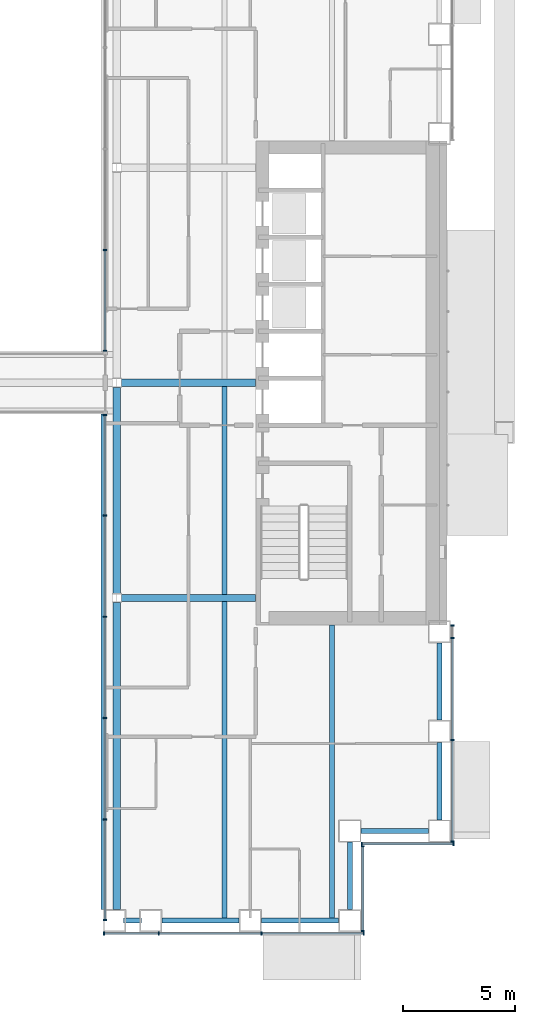
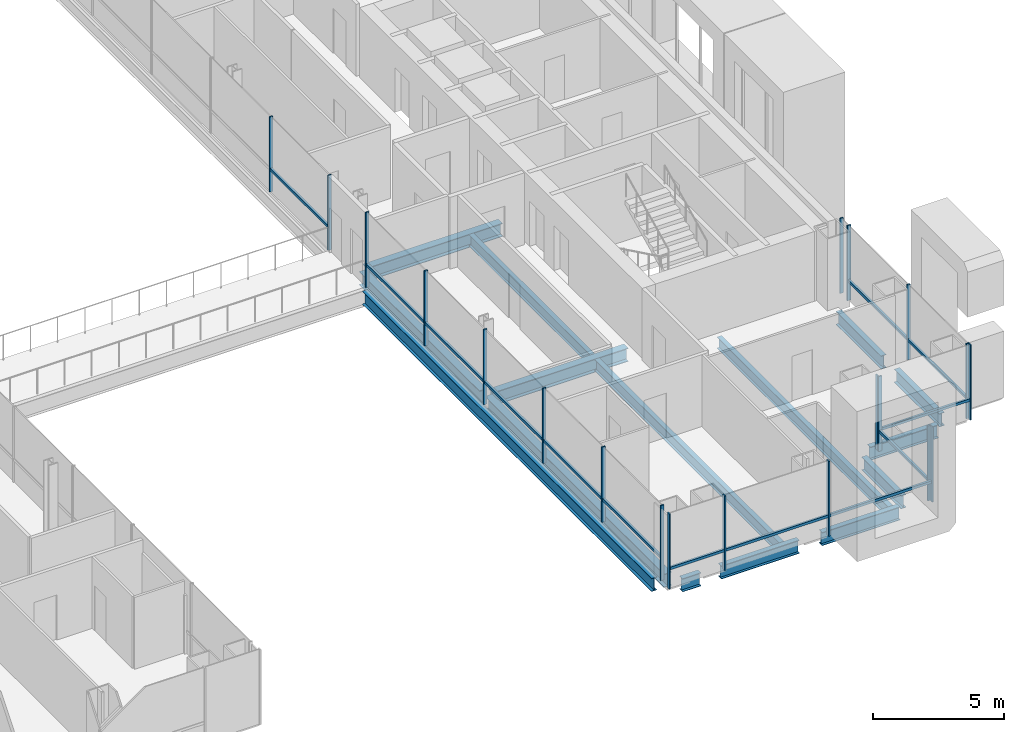
# One storey, part 5 of 26: 33 members, 15 beams, 6 elements without a shape of their own.
"""IFC4 building model written with IfcOpenShell, lengths in metres."""

from ifc_helpers import new_model, si_unit, direction, frame, origin, origin_2d, place, context, subcontext, project, spatial, rectangle, i_section, extrude, material, material_profile, profile_set, type_object, element, aggregate, save


model = new_model("IFC4")

# Units and contexts
model_context = context("Model", 3, precision=1e-05, world=origin(), true_north=direction((0.0, 1.0)))
body_context = subcontext(model_context, "Body", "Model", "MODEL_VIEW")
ifc_project = project(units=[si_unit("LENGTHUNIT", "METRE"), si_unit("AREAUNIT", "SQUARE_METRE"), si_unit("VOLUMEUNIT", "CUBIC_METRE"), si_unit("PLANEANGLEUNIT", "RADIAN"), si_unit("MASSUNIT", "GRAM", prefix="KILO")], contexts=[model_context])

# Site, building, storey
site_placement = place(None, origin())
site = spatial("IfcSite", under=ifc_project, at=site_placement, CompositionType="ELEMENT")
building_placement = place(site_placement, origin())
building = spatial("IfcBuilding", under=site, at=building_placement, Name="Cobrizo Arcos Hotel Tower", CompositionType="ELEMENT")
storey_placement = place(building_placement, frame((0.0, 0.0, 67.0)))
storey = spatial("IfcBuildingStorey", under=building, at=storey_placement, Name="L15", CompositionType="ELEMENT", Elevation=67.0)

# Curtain wall, members
ifc_material_1 = material(Name="Aluminium 6063-T6 anodised bronze", Category="aluminium")
curtain_wall_type_1 = type_object("IfcCurtainWallType", Name="CW-A guest facade", PredefinedType="NOTDEFINED", material=ifc_material_1)
curtain_wall_1_placement = place(storey_placement, origin())
curtain_wall_1 = element("IfcCurtainWall", 1, at=curtain_wall_1_placement, inside=storey, type_object=curtain_wall_type_1, Name="CW-A L15 S face", PredefinedType="NOTDEFINED")
ifc_material_profile_1 = material_profile(ifc_material_1, rectangle(XDim=0.14990234375, YDim=0.06005859375, at=origin_2d()), Name="CW-A mullion 150x60")
ifc_profile_set_1 = profile_set([ifc_material_profile_1], Name="Aluminium 6063-T6 anodised bronze")
member_type_1 = type_object("IfcMemberType", Name="CW-A mullion 150x60", PredefinedType="MULLION", material=ifc_profile_set_1)
member_1_placement = place(storey_placement, frame((9.030029296875, -24.574951171875, 0.0), z_axis=(0.0, 0.0, 1.0), x_axis=(0.0, -1.0, 0.0)))
member_1 = element("IfcMember", 2, at=member_1_placement, type_object=member_type_1, Name="CW-A mullion 1", PredefinedType="MULLION", context=body_context, shape_type="SweptSolid", body=[
    extrude(rectangle(XDim=0.14990234375, YDim=0.06005859375, at=origin_2d()), origin(), (0.0, 0.0, 1.0), 3.5),
])
member_2_placement = place(storey_placement, frame((11.47216796875, -24.574951171875, 0.0), z_axis=(0.0, 0.0, 1.0), x_axis=(0.0, -1.0, 0.0)))
member_2 = element("IfcMember", 3, at=member_2_placement, type_object=member_type_1, Name="CW-A mullion 2", PredefinedType="MULLION", context=body_context, shape_type="SweptSolid", body=[
    extrude(rectangle(XDim=0.14990234375, YDim=0.06005859375, at=origin_2d()), origin(), (0.0, 0.0, 1.0), 3.5),
])
member_3_placement = place(storey_placement, frame((16.06103515625, -24.574951171875, 0.0), z_axis=(0.0, 0.0, 1.0), x_axis=(0.0, -1.0, 0.0)))
member_3 = element("IfcMember", 4, at=member_3_placement, type_object=member_type_1, Name="CW-A mullion 3", PredefinedType="MULLION", context=body_context, shape_type="SweptSolid", body=[
    extrude(rectangle(XDim=0.14990234375, YDim=0.06005859375, at=origin_2d()), origin(), (0.0, 0.0, 1.0), 3.5),
])
member_4_placement = place(storey_placement, frame((20.6201171875, -24.574951171875, 0.0), z_axis=(0.0, 0.0, 1.0), x_axis=(0.0, -1.0, 0.0)))
member_4 = element("IfcMember", 5, at=member_4_placement, type_object=member_type_1, Name="CW-A mullion 4", PredefinedType="MULLION", context=body_context, shape_type="SweptSolid", body=[
    extrude(rectangle(XDim=0.14990234375, YDim=0.06005859375, at=origin_2d()), origin(), (0.0, 0.0, 1.0), 3.5),
])

curtain_wall_2_placement = place(storey_placement, origin())
curtain_wall_2 = element("IfcCurtainWall", 6, at=curtain_wall_2_placement, inside=storey, type_object=curtain_wall_type_1, Name="CW-A L15 E face", PredefinedType="NOTDEFINED")
member_5_placement = place(storey_placement, frame((20.574951171875, -24.469970703125, 0.0), z_axis=(0.0, 0.0, 1.0), x_axis=(1.0, 0.0, 0.0)))
member_5 = element("IfcMember", 7, at=member_5_placement, type_object=member_type_1, Name="CW-A mullion 1", PredefinedType="MULLION", context=body_context, shape_type="SweptSolid", body=[
    extrude(rectangle(XDim=0.14990234375, YDim=0.06005859375, at=origin_2d()), origin(), (0.0, 0.0, 1.0), 3.5),
])
member_6_placement = place(storey_placement, frame((20.574951171875, -20.679931640625, 0.0), z_axis=(0.0, 0.0, 1.0), x_axis=(1.0, 0.0, 0.0)))
member_6 = element("IfcMember", 8, at=member_6_placement, type_object=member_type_1, Name="CW-A mullion 2", PredefinedType="MULLION", context=body_context, shape_type="SweptSolid", body=[
    extrude(rectangle(XDim=0.14990234375, YDim=0.06005859375, at=origin_2d()), origin(), (0.0, 0.0, 1.0), 3.5),
])

curtain_wall_3_placement = place(storey_placement, origin())
curtain_wall_3 = element("IfcCurtainWall", 9, at=curtain_wall_3_placement, inside=storey, type_object=curtain_wall_type_1, Name="CW-A L15 S face", PredefinedType="NOTDEFINED")
member_7_placement = place(storey_placement, frame((20.530029296875, -20.574951171875, 0.0), z_axis=(0.0, 0.0, 1.0), x_axis=(0.0, -1.0, 0.0)))
member_7 = element("IfcMember", 10, at=member_7_placement, type_object=member_type_1, Name="CW-A mullion 1", PredefinedType="MULLION", context=body_context, shape_type="SweptSolid", body=[
    extrude(rectangle(XDim=0.14990234375, YDim=0.06005859375, at=origin_2d()), origin(), (0.0, 0.0, 1.0), 3.5),
])
member_8_placement = place(storey_placement, frame((24.6201171875, -20.574951171875, 0.0), z_axis=(0.0, 0.0, 1.0), x_axis=(0.0, -1.0, 0.0)))
member_8 = element("IfcMember", 11, at=member_8_placement, type_object=member_type_1, Name="CW-A mullion 2", PredefinedType="MULLION", context=body_context, shape_type="SweptSolid", body=[
    extrude(rectangle(XDim=0.14990234375, YDim=0.06005859375, at=origin_2d()), origin(), (0.0, 0.0, 1.0), 3.5),
])

curtain_wall_4_placement = place(storey_placement, origin())
curtain_wall_4 = element("IfcCurtainWall", 12, at=curtain_wall_4_placement, inside=storey, type_object=curtain_wall_type_1, Name="CW-A L15 E face", PredefinedType="NOTDEFINED")
member_9_placement = place(storey_placement, frame((24.574951171875, -20.469970703125, 0.0), z_axis=(0.0, 0.0, 1.0), x_axis=(1.0, 0.0, 0.0)))
member_9 = element("IfcMember", 13, at=member_9_placement, type_object=member_type_1, Name="CW-A mullion 1", PredefinedType="MULLION", context=body_context, shape_type="SweptSolid", body=[
    extrude(rectangle(XDim=0.14990234375, YDim=0.06005859375, at=origin_2d()), origin(), (0.0, 0.0, 1.0), 3.5),
])
member_10_placement = place(storey_placement, frame((24.574951171875, -15.9443359375, 0.0), z_axis=(0.0, 0.0, 1.0), x_axis=(1.0, 0.0, 0.0)))
member_10 = element("IfcMember", 14, at=member_10_placement, type_object=member_type_1, Name="CW-A mullion 2", PredefinedType="MULLION", context=body_context, shape_type="SweptSolid", body=[
    extrude(rectangle(XDim=0.14990234375, YDim=0.06005859375, at=origin_2d()), origin(), (0.0, 0.0, 1.0), 3.5),
])
member_11_placement = place(storey_placement, frame((24.574951171875, -11.388916015625, 0.0), z_axis=(0.0, 0.0, 1.0), x_axis=(1.0, 0.0, 0.0)))
member_11 = element("IfcMember", 15, at=member_11_placement, type_object=member_type_1, Name="CW-A mullion 3", PredefinedType="MULLION", context=body_context, shape_type="SweptSolid", body=[
    extrude(rectangle(XDim=0.14990234375, YDim=0.06005859375, at=origin_2d()), origin(), (0.0, 0.0, 1.0), 3.5),
])
member_12_placement = place(storey_placement, frame((24.574951171875, -10.830078125, 0.0), z_axis=(0.0, 0.0, 1.0), x_axis=(1.0, 0.0, 0.0)))
member_12 = element("IfcMember", 16, at=member_12_placement, type_object=member_type_1, Name="CW-A mullion 4", PredefinedType="MULLION", context=body_context, shape_type="SweptSolid", body=[
    extrude(rectangle(XDim=0.14990234375, YDim=0.06005859375, at=origin_2d()), origin(), (0.0, 0.0, 1.0), 3.5),
])

# Member
ifc_material_profile_2 = material_profile(ifc_material_1, rectangle(XDim=0.10009765625, YDim=0.1201171875, at=origin_2d()), Name="CW-A transom 120x100")
ifc_profile_set_2 = profile_set([ifc_material_profile_2], Name="Aluminium 6063-T6 anodised bronze")
member_type_2 = type_object("IfcMemberType", Name="CW-A transom 120x100", PredefinedType="USERDEFINED", material=ifc_profile_set_2)
member_13_placement = place(storey_placement, frame((9.06005859375, -24.574951171875, 0.929931640625), z_axis=(1.0, 0.0, 0.0), x_axis=(0.0, 1.0, 0.0)))
member_13 = element("IfcMember", 17, at=member_13_placement, type_object=member_type_2, Name="CW-A transom 656", ObjectType="TRANSOM", PredefinedType="USERDEFINED", context=body_context, shape_type="SweptSolid", body=[
    extrude(rectangle(XDim=0.10009765625, YDim=0.1201171875, at=origin_2d()), origin(), (0.0, 0.0, 1.0), 2.382080078125),
])

member_14_placement = place(storey_placement, frame((11.502197265625, -24.574951171875, 0.929931640625), z_axis=(1.0, 0.0, 0.0), x_axis=(0.0, 1.0, 0.0)))
member_14 = element("IfcMember", 18, at=member_14_placement, type_object=member_type_2, Name="CW-A transom 657", ObjectType="TRANSOM", PredefinedType="USERDEFINED", context=body_context, shape_type="SweptSolid", body=[
    extrude(rectangle(XDim=0.10009765625, YDim=0.1201171875, at=origin_2d()), origin(), (0.0, 0.0, 1.0), 4.52880859375),
])

member_15_placement = place(storey_placement, frame((16.091064453125, -24.574951171875, 0.929931640625), z_axis=(1.0, 0.0, 0.0), x_axis=(0.0, 1.0, 0.0)))
member_15 = element("IfcMember", 19, at=member_15_placement, type_object=member_type_2, Name="CW-A transom 658", ObjectType="TRANSOM", PredefinedType="USERDEFINED", context=body_context, shape_type="SweptSolid", body=[
    extrude(rectangle(XDim=0.10009765625, YDim=0.1201171875, at=origin_2d()), origin(), (0.0, 0.0, 1.0), 4.4990234375),
])

aggregate(curtain_wall_1, [member_1, member_2, member_3, member_4, member_13, member_14, member_15])

member_16_placement = place(storey_placement, frame((20.574951171875, -24.43994140625, 0.929931640625), z_axis=(0.0, 1.0, 0.0), x_axis=(-1.0, 0.0, 0.0)))
member_16 = element("IfcMember", 20, at=member_16_placement, type_object=member_type_2, Name="CW-A transom 659", ObjectType="TRANSOM", PredefinedType="USERDEFINED", context=body_context, shape_type="SweptSolid", body=[
    extrude(rectangle(XDim=0.10009765625, YDim=0.1201171875, at=origin_2d()), origin(), (0.0, 0.0, 1.0), 3.72998046875),
])

aggregate(curtain_wall_2, [member_5, member_6, member_16])

member_17_placement = place(storey_placement, frame((20.56005859375, -20.574951171875, 0.929931640625), z_axis=(1.0, 0.0, 0.0), x_axis=(0.0, 1.0, 0.0)))
member_17 = element("IfcMember", 21, at=member_17_placement, type_object=member_type_2, Name="CW-A transom 660", ObjectType="TRANSOM", PredefinedType="USERDEFINED", context=body_context, shape_type="SweptSolid", body=[
    extrude(rectangle(XDim=0.10009765625, YDim=0.1201171875, at=origin_2d()), origin(), (0.0, 0.0, 1.0), 4.030029296875),
])

aggregate(curtain_wall_3, [member_7, member_8, member_17])

member_18_placement = place(storey_placement, frame((24.574951171875, -20.43994140625, 0.929931640625), z_axis=(0.0, 1.0, 0.0), x_axis=(-1.0, 0.0, 0.0)))
member_18 = element("IfcMember", 22, at=member_18_placement, type_object=member_type_2, Name="CW-A transom 661", ObjectType="TRANSOM", PredefinedType="USERDEFINED", context=body_context, shape_type="SweptSolid", body=[
    extrude(rectangle(XDim=0.10009765625, YDim=0.1201171875, at=origin_2d()), origin(), (0.0, 0.0, 1.0), 4.465576171875),
])

member_19_placement = place(storey_placement, frame((24.574951171875, -15.91455078125, 0.929931640625), z_axis=(0.0, 1.0, 0.0), x_axis=(-1.0, 0.0, 0.0)))
member_19 = element("IfcMember", 23, at=member_19_placement, type_object=member_type_2, Name="CW-A transom 662", ObjectType="TRANSOM", PredefinedType="USERDEFINED", context=body_context, shape_type="SweptSolid", body=[
    extrude(rectangle(XDim=0.10009765625, YDim=0.1201171875, at=origin_2d()), origin(), (0.0, 0.0, 1.0), 4.49560546875),
])

aggregate(curtain_wall_4, [member_9, member_10, member_11, member_12, member_18, member_19])

# Curtain wall, members
curtain_wall_type_2 = type_object("IfcCurtainWallType", Name="CW-F void screen", PredefinedType="NOTDEFINED", material=ifc_material_1)
curtain_wall_5_placement = place(storey_placement, origin())
curtain_wall_5 = element("IfcCurtainWall", 24, at=curtain_wall_5_placement, inside=storey, type_object=curtain_wall_type_2, Name="CW-F L15 void screen A", PredefinedType="NOTDEFINED")
ifc_material_profile_3 = material_profile(ifc_material_1, rectangle(XDim=0.14990234375, YDim=0.06005859375, at=origin_2d()), Name="CW-F mullion 150x60")
ifc_profile_set_3 = profile_set([ifc_material_profile_3], Name="Aluminium 6063-T6 anodised bronze")
member_type_3 = type_object("IfcMemberType", Name="CW-F mullion 150x60", PredefinedType="MULLION", material=ifc_profile_set_3)
member_20_placement = place(storey_placement, frame((9.074951171875, -23.969970703125, 0.0), z_axis=(0.0, 0.0, 1.0), x_axis=(1.0, 0.0, 0.0)))
member_20 = element("IfcMember", 25, at=member_20_placement, type_object=member_type_3, Name="CW-F mullion 1", PredefinedType="MULLION", context=body_context, shape_type="SweptSolid", body=[
    extrude(rectangle(XDim=0.14990234375, YDim=0.06005859375, at=origin_2d()), origin(), (0.0, 0.0, 1.0), 3.5),
])
member_21_placement = place(storey_placement, frame((9.074951171875, -19.47998046875, 0.0), z_axis=(0.0, 0.0, 1.0), x_axis=(1.0, 0.0, 0.0)))
member_21 = element("IfcMember", 26, at=member_21_placement, type_object=member_type_3, Name="CW-F mullion 2", PredefinedType="MULLION", context=body_context, shape_type="SweptSolid", body=[
    extrude(rectangle(XDim=0.14990234375, YDim=0.06005859375, at=origin_2d()), origin(), (0.0, 0.0, 1.0), 3.5),
])
member_22_placement = place(storey_placement, frame((9.074951171875, -14.9599609375, 0.0), z_axis=(0.0, 0.0, 1.0), x_axis=(1.0, 0.0, 0.0)))
member_22 = element("IfcMember", 27, at=member_22_placement, type_object=member_type_3, Name="CW-F mullion 3", PredefinedType="MULLION", context=body_context, shape_type="SweptSolid", body=[
    extrude(rectangle(XDim=0.14990234375, YDim=0.06005859375, at=origin_2d()), origin(), (0.0, 0.0, 1.0), 3.5),
])
member_23_placement = place(storey_placement, frame((9.074951171875, -10.43994140625, 0.0), z_axis=(0.0, 0.0, 1.0), x_axis=(1.0, 0.0, 0.0)))
member_23 = element("IfcMember", 28, at=member_23_placement, type_object=member_type_3, Name="CW-F mullion 4", PredefinedType="MULLION", context=body_context, shape_type="SweptSolid", body=[
    extrude(rectangle(XDim=0.14990234375, YDim=0.06005859375, at=origin_2d()), origin(), (0.0, 0.0, 1.0), 3.5),
])
member_24_placement = place(storey_placement, frame((9.074951171875, -5.919921875, 0.0), z_axis=(0.0, 0.0, 1.0), x_axis=(1.0, 0.0, 0.0)))
member_24 = element("IfcMember", 29, at=member_24_placement, type_object=member_type_3, Name="CW-F mullion 5", PredefinedType="MULLION", context=body_context, shape_type="SweptSolid", body=[
    extrude(rectangle(XDim=0.14990234375, YDim=0.06005859375, at=origin_2d()), origin(), (0.0, 0.0, 1.0), 3.5),
])
member_25_placement = place(storey_placement, frame((9.074951171875, -1.429931640625, 0.0), z_axis=(0.0, 0.0, 1.0), x_axis=(1.0, 0.0, 0.0)))
member_25 = element("IfcMember", 30, at=member_25_placement, type_object=member_type_3, Name="CW-F mullion 6", PredefinedType="MULLION", context=body_context, shape_type="SweptSolid", body=[
    extrude(rectangle(XDim=0.14990234375, YDim=0.06005859375, at=origin_2d()), origin(), (0.0, 0.0, 1.0), 3.5),
])

curtain_wall_6_placement = place(storey_placement, origin())
curtain_wall_6 = element("IfcCurtainWall", 31, at=curtain_wall_6_placement, inside=storey, type_object=curtain_wall_type_2, Name="CW-F L15 void screen A", PredefinedType="NOTDEFINED")
member_26_placement = place(storey_placement, frame((9.074951171875, 1.429931640625, 0.0), z_axis=(0.0, 0.0, 1.0), x_axis=(1.0, 0.0, 0.0)))
member_26 = element("IfcMember", 32, at=member_26_placement, type_object=member_type_3, Name="CW-F mullion 1", PredefinedType="MULLION", context=body_context, shape_type="SweptSolid", body=[
    extrude(rectangle(XDim=0.14990234375, YDim=0.06005859375, at=origin_2d()), origin(), (0.0, 0.0, 1.0), 3.5),
])
member_27_placement = place(storey_placement, frame((9.074951171875, 5.919921875, 0.0), z_axis=(0.0, 0.0, 1.0), x_axis=(1.0, 0.0, 0.0)))
member_27 = element("IfcMember", 33, at=member_27_placement, type_object=member_type_3, Name="CW-F mullion 2", PredefinedType="MULLION", context=body_context, shape_type="SweptSolid", body=[
    extrude(rectangle(XDim=0.14990234375, YDim=0.06005859375, at=origin_2d()), origin(), (0.0, 0.0, 1.0), 3.5),
])

# Member
ifc_material_profile_4 = material_profile(ifc_material_1, rectangle(XDim=0.10009765625, YDim=0.1201171875, at=origin_2d()), Name="CW-F transom 120x100")
ifc_profile_set_4 = profile_set([ifc_material_profile_4], Name="Aluminium 6063-T6 anodised bronze")
member_type_4 = type_object("IfcMemberType", Name="CW-F transom 120x100", PredefinedType="USERDEFINED", material=ifc_profile_set_4)
member_28_placement = place(storey_placement, frame((9.074951171875, -23.93994140625, 1.050048828125), z_axis=(0.0, 1.0, 0.0), x_axis=(-1.0, 0.0, 0.0)))
member_28 = element("IfcMember", 34, at=member_28_placement, type_object=member_type_4, Name="CW-F transom 2468", ObjectType="TRANSOM", PredefinedType="USERDEFINED", context=body_context, shape_type="SweptSolid", body=[
    extrude(rectangle(XDim=0.10009765625, YDim=0.1201171875, at=origin_2d()), origin(), (0.0, 0.0, 1.0), 4.429931640625),
])

member_29_placement = place(storey_placement, frame((9.074951171875, -19.449951171875, 1.050048828125), z_axis=(0.0, 1.0, 0.0), x_axis=(-1.0, 0.0, 0.0)))
member_29 = element("IfcMember", 35, at=member_29_placement, type_object=member_type_4, Name="CW-F transom 2469", ObjectType="TRANSOM", PredefinedType="USERDEFINED", context=body_context, shape_type="SweptSolid", body=[
    extrude(rectangle(XDim=0.10009765625, YDim=0.1201171875, at=origin_2d()), origin(), (0.0, 0.0, 1.0), 4.4599609375),
])

member_30_placement = place(storey_placement, frame((9.074951171875, -14.929931640625, 1.050048828125), z_axis=(0.0, 1.0, 0.0), x_axis=(-1.0, 0.0, 0.0)))
member_30 = element("IfcMember", 36, at=member_30_placement, type_object=member_type_4, Name="CW-F transom 2470", ObjectType="TRANSOM", PredefinedType="USERDEFINED", context=body_context, shape_type="SweptSolid", body=[
    extrude(rectangle(XDim=0.10009765625, YDim=0.1201171875, at=origin_2d()), origin(), (0.0, 0.0, 1.0), 4.4599609375),
])

member_31_placement = place(storey_placement, frame((9.074951171875, -10.409912109375, 1.050048828125), z_axis=(0.0, 1.0, 0.0), x_axis=(-1.0, 0.0, 0.0)))
member_31 = element("IfcMember", 37, at=member_31_placement, type_object=member_type_4, Name="CW-F transom 2471", ObjectType="TRANSOM", PredefinedType="USERDEFINED", context=body_context, shape_type="SweptSolid", body=[
    extrude(rectangle(XDim=0.10009765625, YDim=0.1201171875, at=origin_2d()), origin(), (0.0, 0.0, 1.0), 4.4599609375),
])

member_32_placement = place(storey_placement, frame((9.074951171875, -5.889892578125, 1.050048828125), z_axis=(0.0, 1.0, 0.0), x_axis=(-1.0, 0.0, 0.0)))
member_32 = element("IfcMember", 38, at=member_32_placement, type_object=member_type_4, Name="CW-F transom 2472", ObjectType="TRANSOM", PredefinedType="USERDEFINED", context=body_context, shape_type="SweptSolid", body=[
    extrude(rectangle(XDim=0.10009765625, YDim=0.1201171875, at=origin_2d()), origin(), (0.0, 0.0, 1.0), 4.429931640625),
])

aggregate(curtain_wall_5, [member_20, member_21, member_22, member_23, member_24, member_25, member_28, member_29, member_30, member_31, member_32])

member_33_placement = place(storey_placement, frame((9.074951171875, 1.4599609375, 1.050048828125), z_axis=(0.0, 1.0, 0.0), x_axis=(-1.0, 0.0, 0.0)))
member_33 = element("IfcMember", 39, at=member_33_placement, type_object=member_type_4, Name="CW-F transom 2473", ObjectType="TRANSOM", PredefinedType="USERDEFINED", context=body_context, shape_type="SweptSolid", body=[
    extrude(rectangle(XDim=0.10009765625, YDim=0.1201171875, at=origin_2d()), origin(), (0.0, 0.0, 1.0), 4.429931640625),
])

aggregate(curtain_wall_6, [member_26, member_27, member_33])

# Beams
ifc_material_2 = material(Name="Steel ASTM A992 Grade 50", Category="steel")
ifc_material_profile_5 = material_profile(ifc_material_2, i_section(OverallWidth=0.209228515625, OverallDepth=0.533447265625, WebThickness=0.01025390625, FlangeThickness=0.015625, at=origin_2d()), Name="W21X62")
ifc_profile_set_5 = profile_set([ifc_material_profile_5], Name="Steel ASTM A992 Grade 50")
beam_type_1 = type_object("IfcBeamType", Name="W21X62 joist", PredefinedType="JOIST", material=ifc_profile_set_5)
beam_1_placement = place(storey_placement, frame((14.39990234375, -23.909912109375, -0.416748046875), z_axis=(0.0, 1.0, 0.0), x_axis=(-1.0, 0.0, 0.0)))
element("IfcBeam", 40, at=beam_1_placement, inside=storey, type_object=beam_type_1, Name="Floor joist J1, L15, no. 007", PredefinedType="JOIST", context=body_context, shape_type="SweptSolid", body=[
    extrude(i_section(OverallWidth=0.209228515625, OverallDepth=0.533447265625, WebThickness=0.01025390625, FlangeThickness=0.015625, at=origin_2d()), origin(), (0.0, 0.0, 1.0), 14.14599609375),
])
beam_2_placement = place(storey_placement, frame((14.39990234375, -9.43603515625, -0.416748046875), z_axis=(0.0, 1.0, 0.0), x_axis=(-1.0, 0.0, 0.0)))
element("IfcBeam", 41, at=beam_2_placement, inside=storey, type_object=beam_type_1, Name="Floor joist J1, L15, no. 008", PredefinedType="JOIST", context=body_context, shape_type="SweptSolid", body=[
    extrude(i_section(OverallWidth=0.209228515625, OverallDepth=0.533447265625, WebThickness=0.01025390625, FlangeThickness=0.015625, at=origin_2d()), origin(), (0.0, 0.0, 1.0), 9.272216796875),
])
beam_3_placement = place(storey_placement, frame((19.199951171875, -23.909912109375, -0.416748046875), z_axis=(0.0, 1.0, 0.0), x_axis=(-1.0, 0.0, 0.0)))
element("IfcBeam", 42, at=beam_3_placement, inside=storey, type_object=beam_type_1, Name="Floor joist J1, L15, no. 011", PredefinedType="JOIST", context=body_context, shape_type="SweptSolid", body=[
    extrude(i_section(OverallWidth=0.209228515625, OverallDepth=0.533447265625, WebThickness=0.01025390625, FlangeThickness=0.015625, at=origin_2d()), origin(), (0.0, 0.0, 1.0), 13.099853515625),
])
ifc_material_profile_6 = material_profile(ifc_material_2, i_section(OverallWidth=0.32763671875, OverallDepth=0.622314453125, WebThickness=0.015380859375, FlangeThickness=0.0244140625, at=origin_2d()), Name="W24X131")
ifc_profile_set_6 = profile_set([ifc_material_profile_6], Name="Steel ASTM A992 Grade 50")
beam_type_2 = type_object("IfcBeamType", Name="W24X131 girder", PredefinedType="BEAM", material=ifc_profile_set_6)
for number, where, z_axis, x_axis, name in (
    (43, (9.804443359375, -9.60009765625, -0.461181640625), (1.0, 0.0, 0.0), (0.0, 1.0, 0.0), "Floor girder G1, L15, no. 002"),
    (44, (9.804443359375, 0.0, -0.461181640625), (1.0, 0.0, 0.0), (0.0, 1.0, 0.0), "Floor girder G1, L15, no. 005"),
):
    element("IfcBeam", number, at=place(storey_placement, frame(where, z_axis=z_axis, x_axis=x_axis)), inside=storey, type_object=beam_type_2, Name=name, PredefinedType="BEAM", context=body_context, shape_type="SweptSolid", body=[
        extrude(i_section(OverallWidth=0.32763671875, OverallDepth=0.622314453125, WebThickness=0.015380859375, FlangeThickness=0.0244140625, at=origin_2d()), origin(), (0.0, 0.0, 1.0), 5.985595703125),
    ])
beam_4_placement = place(storey_placement, frame((9.60009765625, -23.5, -0.461181640625), z_axis=(0.0, 1.0, 0.0), x_axis=(-1.0, 0.0, 0.0)))
element("IfcBeam", 45, at=beam_4_placement, inside=storey, type_object=beam_type_2, Name="Floor girder G1, L15, no. 012", PredefinedType="BEAM", context=body_context, shape_type="SweptSolid", body=[
    extrude(i_section(OverallWidth=0.32763671875, OverallDepth=0.622314453125, WebThickness=0.015380859375, FlangeThickness=0.0244140625, at=origin_2d()), origin(), (0.0, 0.0, 1.0), 13.695556640625),
])
beam_5_placement = place(storey_placement, frame((9.60009765625, -9.3955078125, -0.461181640625), z_axis=(0.0, 1.0, 0.0), x_axis=(-1.0, 0.0, 0.0)))
element("IfcBeam", 46, at=beam_5_placement, inside=storey, type_object=beam_type_2, Name="Floor girder G1, L15, no. 013", PredefinedType="BEAM", context=body_context, shape_type="SweptSolid", body=[
    extrude(i_section(OverallWidth=0.32763671875, OverallDepth=0.622314453125, WebThickness=0.015380859375, FlangeThickness=0.0244140625, at=origin_2d()), origin(), (0.0, 0.0, 1.0), 9.191162109375),
])
ifc_material_profile_7 = material_profile(ifc_material_2, i_section(OverallWidth=0.23046875, OverallDepth=0.6171875, WebThickness=0.01318359375, FlangeThickness=0.022216796875, at=origin_2d()), Name="W24X94")
ifc_profile_set_7 = profile_set([ifc_material_profile_7], Name="Steel ASTM A992 Grade 50")
beam_type_3 = type_object("IfcBeamType", Name="W24X94 spandrel", PredefinedType="SPANDREL", material=ifc_profile_set_7)
beam_6_placement = place(storey_placement, frame((24.0, -11.611083984375, -0.45849609375), z_axis=(0.0, -1.0, 0.0), x_axis=(1.0, 0.0, 0.0)))
element("IfcBeam", 47, at=beam_6_placement, inside=storey, type_object=beam_type_3, Name="Spandrel beam W24X94, L15, no. 004", PredefinedType="SPANDREL", context=body_context, shape_type="SweptSolid", body=[
    extrude(i_section(OverallWidth=0.23046875, OverallDepth=0.6171875, WebThickness=0.01318359375, FlangeThickness=0.022216796875, at=origin_2d()), origin(), (0.0, 0.0, 1.0), 3.44482421875),
])
beam_7_placement = place(storey_placement, frame((24.0, -16.055908203125, -0.45849609375), z_axis=(0.0, -1.0, 0.0), x_axis=(1.0, 0.0, 0.0)))
element("IfcBeam", 48, at=beam_7_placement, inside=storey, type_object=beam_type_3, Name="Spandrel beam W24X94, L15, no. 005", PredefinedType="SPANDREL", context=body_context, shape_type="SweptSolid", body=[
    extrude(i_section(OverallWidth=0.23046875, OverallDepth=0.6171875, WebThickness=0.01318359375, FlangeThickness=0.022216796875, at=origin_2d()), origin(), (0.0, 0.0, 1.0), 3.444091796875),
])
for number, where, z_axis, x_axis, name in (
    (49, (23.5, -20.0, -0.45849609375), (-1.0, 0.0, 0.0), (0.0, -1.0, 0.0), "Spandrel beam W24X94, L15, no. 006"),
    (50, (20.0, -20.5, -0.45849609375), (0.0, -1.0, 0.0), (1.0, 0.0, 0.0), "Spandrel beam W24X94, L15, no. 007"),
):
    element("IfcBeam", number, at=place(storey_placement, frame(where, z_axis=z_axis, x_axis=x_axis)), inside=storey, type_object=beam_type_3, Name=name, PredefinedType="SPANDREL", context=body_context, shape_type="SweptSolid", body=[
        extrude(i_section(OverallWidth=0.23046875, OverallDepth=0.6171875, WebThickness=0.01318359375, FlangeThickness=0.022216796875, at=origin_2d()), origin(), (0.0, 0.0, 1.0), 3.0),
    ])
beam_8_placement = place(storey_placement, frame((19.5, -24.0, -0.45849609375), z_axis=(-1.0, 0.0, 0.0), x_axis=(0.0, -1.0, 0.0)))
element("IfcBeam", 51, at=beam_8_placement, inside=storey, type_object=beam_type_3, Name="Spandrel beam W24X94, L15, no. 008", PredefinedType="SPANDREL", context=body_context, shape_type="SweptSolid", body=[
    extrude(i_section(OverallWidth=0.23046875, OverallDepth=0.6171875, WebThickness=0.01318359375, FlangeThickness=0.022216796875, at=origin_2d()), origin(), (0.0, 0.0, 1.0), 3.444091796875),
])
beam_9_placement = place(storey_placement, frame((15.055908203125, -24.0, -0.45849609375), z_axis=(-1.0, 0.0, 0.0), x_axis=(0.0, -1.0, 0.0)))
element("IfcBeam", 52, at=beam_9_placement, inside=storey, type_object=beam_type_3, Name="Spandrel beam W24X94, L15, no. 009", PredefinedType="SPANDREL", context=body_context, shape_type="SweptSolid", body=[
    extrude(i_section(OverallWidth=0.23046875, OverallDepth=0.6171875, WebThickness=0.01318359375, FlangeThickness=0.022216796875, at=origin_2d()), origin(), (0.0, 0.0, 1.0), 3.44482421875),
])
beam_10_placement = place(storey_placement, frame((10.7109375, -24.0, -0.45849609375), z_axis=(-1.0, 0.0, 0.0), x_axis=(0.0, -1.0, 0.0)))
element("IfcBeam", 53, at=beam_10_placement, inside=storey, type_object=beam_type_3, Name="Spandrel beam W24X94, L15, no. 010", PredefinedType="SPANDREL", context=body_context, shape_type="SweptSolid", body=[
    extrude(i_section(OverallWidth=0.23046875, OverallDepth=0.6171875, WebThickness=0.01318359375, FlangeThickness=0.022216796875, at=origin_2d()), origin(), (0.0, 0.0, 1.0), 0.81103515625),
])
beam_11_placement = place(storey_placement, frame((9.0, -23.5, -0.45849609375), z_axis=(0.0, 1.0, 0.0), x_axis=(-1.0, 0.0, 0.0)))
element("IfcBeam", 54, at=beam_11_placement, inside=storey, type_object=beam_type_3, Name="Spandrel beam W24X94, L15, no. 011", PredefinedType="SPANDREL", context=body_context, shape_type="SweptSolid", body=[
    extrude(i_section(OverallWidth=0.23046875, OverallDepth=0.6171875, WebThickness=0.01318359375, FlangeThickness=0.022216796875, at=origin_2d()), origin(), (0.0, 0.0, 1.0), 22.10009765625),
])

save(model, "model.ifc")
